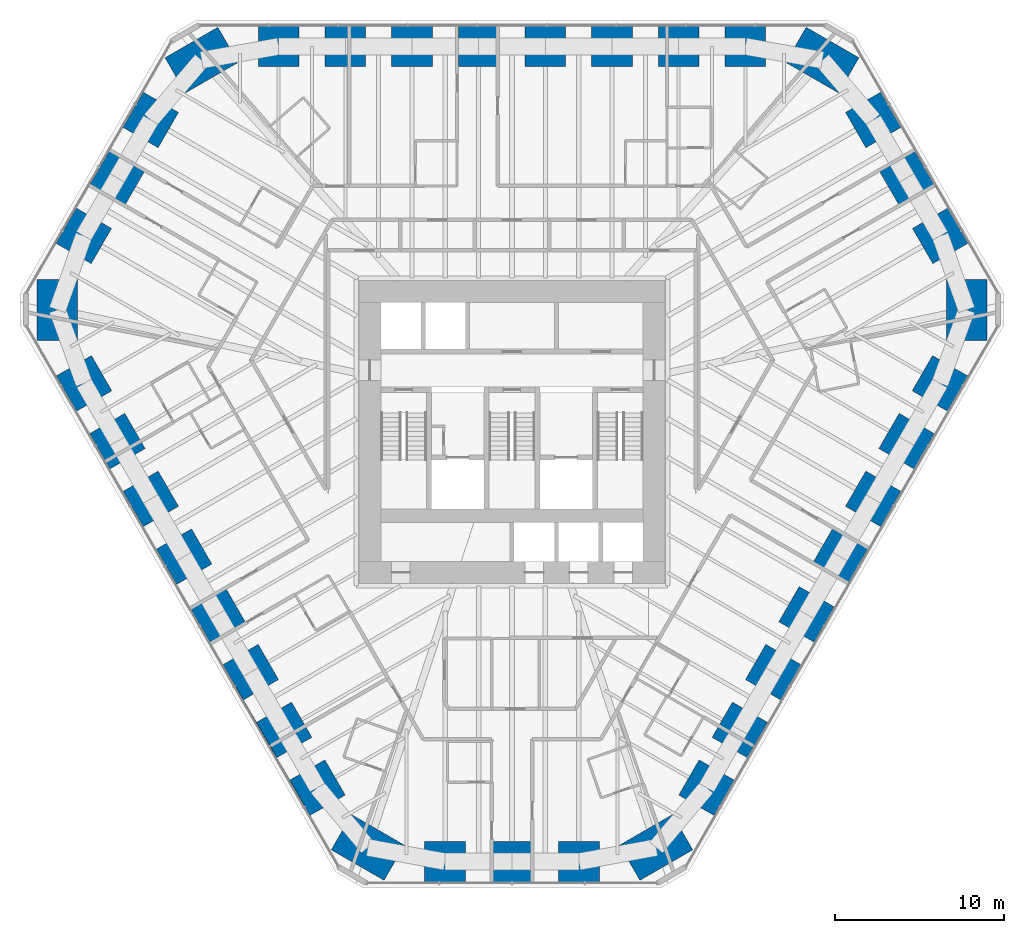
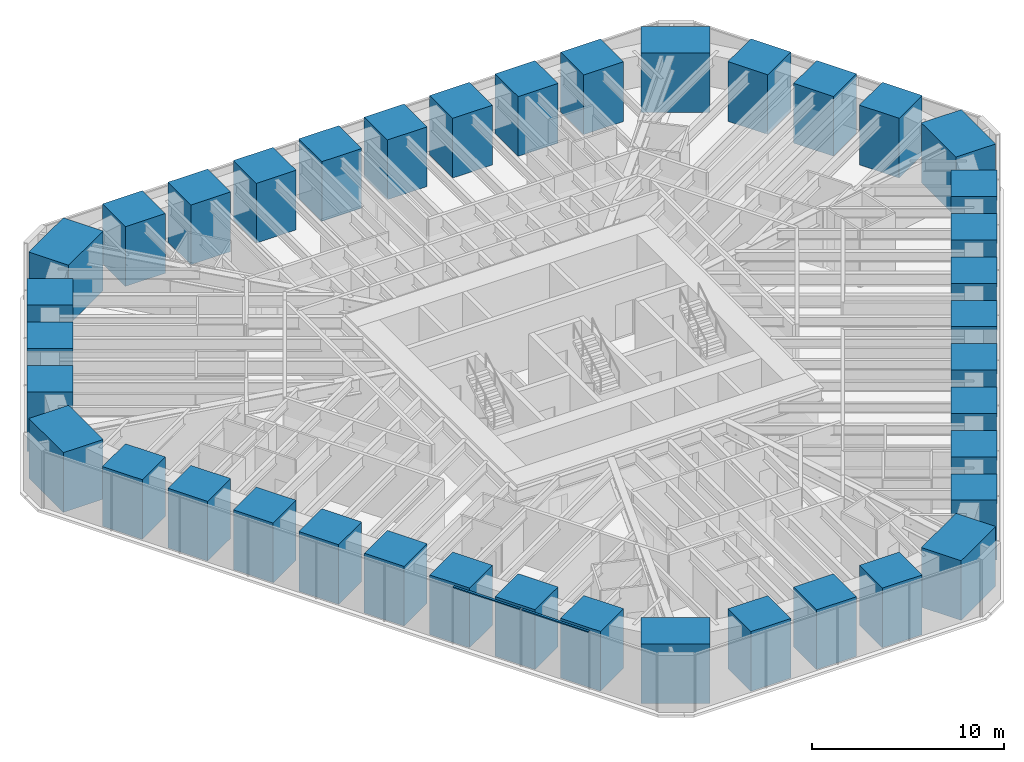
# One storey, part 1 of 17: 39 columns, 2 members, 1 element without a shape of its own.
"""IFC4 building model written with IfcOpenShell, lengths in metres."""

from ifc_helpers import new_model, si_unit, direction, frame, origin, origin_2d, place, context, subcontext, project, spatial, rectangle, extrude, material, material_profile, profile_set, type_object, element, aggregate, save


model = new_model("IFC4")

# Units and contexts
model_context = context("Model", 3, precision=1e-05, world=origin(), true_north=direction((0.0, 1.0)))
body_context = subcontext(model_context, "Body", "Model", "MODEL_VIEW")
ifc_project = project(units=[si_unit("LENGTHUNIT", "METRE"), si_unit("AREAUNIT", "SQUARE_METRE"), si_unit("VOLUMEUNIT", "CUBIC_METRE"), si_unit("PLANEANGLEUNIT", "RADIAN"), si_unit("MASSUNIT", "GRAM", prefix="KILO")], contexts=[model_context])

# Site, building, storey
site_placement = place(None, origin())
site = spatial("IfcSite", under=ifc_project, at=site_placement, CompositionType="ELEMENT")
building_placement = place(site_placement, origin())
building = spatial("IfcBuilding", under=site, at=building_placement, Name="Sandreach Pilgrim Tower", CompositionType="ELEMENT")
storey_placement = place(building_placement, frame((0.0, 0.0, 100.60009765625)))
storey = spatial("IfcBuildingStorey", under=building, at=storey_placement, Name="L24", CompositionType="ELEMENT", Elevation=100.60009765625)

# Columns
ifc_material_1 = material(Name="Concrete 10000 psi", Category="concrete")
ifc_material_profile_1 = material_profile(ifc_material_1, rectangle(XDim=2.39990234375, YDim=2.39990234375, at=origin_2d()), Name="RC2400X2400")
ifc_profile_set_1 = profile_set([ifc_material_profile_1], Name="Concrete 10000 psi")
column_type_1 = type_object("IfcColumnType", Name="Tube column RC2400X2400", PredefinedType="COLUMN", material=ifc_profile_set_1)
for number, where, z_axis, x_axis, name in (
    (1, (-13.789794921875, 21.23388671875, 0.0), (0.0, 0.0, 1.0), (0.0, 1.0, 0.0), "COL L24 T01"),
    (2, (-9.849853515625, 21.23388671875, 0.0), (0.0, 0.0, 1.0), (0.0, 1.0, 0.0), "COL L24 T02"),
    (3, (-5.909912109375, 21.23388671875, 0.0), (0.0, 0.0, 1.0), (0.0, 1.0, 0.0), "COL L24 T03"),
    (4, (-1.969970703125, 21.23388671875, 0.0), (0.0, 0.0, 1.0), (0.0, 1.0, 0.0), "COL L24 T04"),
    (5, (1.969970703125, 21.23388671875, 0.0), (0.0, 0.0, 1.0), (0.0, 1.0, 0.0), "COL L24 T05"),
    (6, (5.909912109375, 21.23388671875, 0.0), (0.0, 0.0, 1.0), (0.0, 1.0, 0.0), "COL L24 T06"),
    (7, (9.849853515625, 21.23388671875, 0.0), (0.0, 0.0, 1.0), (0.0, 1.0, 0.0), "COL L24 T07"),
    (8, (13.789794921875, 21.23388671875, 0.0), (0.0, 0.0, 1.0), (0.0, 1.0, 0.0), "COL L24 T08"),
    (9, (21.346435546875, 16.891357421875, 0.0), (0.0, 0.0, 1.0), (0.866025403784, 0.5, 0.0), "COL L24 T10"),
    (10, (23.323974609375, 13.466064453125, 0.0), (0.0, 0.0, 1.0), (0.866025403784, 0.5, 0.0), "COL L24 T11"),
    (11, (25.301513671875, 10.040771484375, 0.0), (0.0, 0.0, 1.0), (0.866025403784, 0.5, 0.0), "COL L24 T12"),
    (12, (25.283935546875, 1.325439453125, 0.0), (0.0, 0.0, 1.0), (0.866025403784, -0.5, 0.0), "COL L24 T14"),
    (13, (23.31396484375, -2.086669921875, 0.0), (0.0, 0.0, 1.0), (0.866025403784, -0.5, 0.0), "COL L24 T15"),
    (14, (21.343994140625, -5.498779296875, 0.0), (0.0, 0.0, 1.0), (0.866025403784, -0.5, 0.0), "COL L24 T16"),
    (15, (19.3740234375, -8.910888671875, 0.0), (0.0, 0.0, 1.0), (0.866025403784, -0.5, 0.0), "COL L24 T17"),
    (16, (17.404052734375, -12.322998046875, 0.0), (0.0, 0.0, 1.0), (0.866025403784, -0.5, 0.0), "COL L24 T18"),
    (17, (15.43408203125, -15.735107421875, 0.0), (0.0, 0.0, 1.0), (0.866025403784, -0.5, 0.0), "COL L24 T19"),
    (18, (13.464111328125, -19.147216796875, 0.0), (0.0, 0.0, 1.0), (0.866025403784, -0.5, 0.0), "COL L24 T20"),
    (19, (11.494140625, -22.559326171875, 0.0), (0.0, 0.0, 1.0), (0.866025403784, -0.5, 0.0), "COL L24 T21"),
    (20, (3.955322265625, -26.93212890625, 0.0), (0.0, 0.0, 1.0), (0.0, -1.0, 0.0), "COL L24 T23"),
    (21, (0.0, -26.93212890625, 0.0), (0.0, 0.0, 1.0), (0.0, -1.0, 0.0), "COL L24 T24"),
    (22, (-3.955322265625, -26.93212890625, 0.0), (0.0, 0.0, 1.0), (0.0, -1.0, 0.0), "COL L24 T25"),
    (23, (-11.494140625, -22.559326171875, 0.0), (0.0, 0.0, 1.0), (-0.866025403784, -0.5, 0.0), "COL L24 T27"),
    (24, (-13.464111328125, -19.147216796875, 0.0), (0.0, 0.0, 1.0), (-0.866025403784, -0.5, 0.0), "COL L24 T28"),
    (25, (-15.43408203125, -15.735107421875, 0.0), (0.0, 0.0, 1.0), (-0.866025403784, -0.5, 0.0), "COL L24 T29"),
    (26, (-17.404052734375, -12.322998046875, 0.0), (0.0, 0.0, 1.0), (-0.866025403784, -0.5, 0.0), "COL L24 T30"),
    (27, (-19.3740234375, -8.910888671875, 0.0), (0.0, 0.0, 1.0), (-0.866025403784, -0.5, 0.0), "COL L24 T31"),
    (28, (-21.343994140625, -5.498779296875, 0.0), (0.0, 0.0, 1.0), (-0.866025403784, -0.5, 0.0), "COL L24 T32"),
    (29, (-23.31396484375, -2.086669921875, 0.0), (0.0, 0.0, 1.0), (-0.866025403784, -0.5, 0.0), "COL L24 T33"),
    (30, (-25.283935546875, 1.325439453125, 0.0), (0.0, 0.0, 1.0), (-0.866025403784, -0.5, 0.0), "COL L24 T34"),
    (31, (-25.301513671875, 10.040771484375, 0.0), (0.0, 0.0, 1.0), (-0.866025403784, 0.5, 0.0), "COL L24 T36"),
    (32, (-23.323974609375, 13.466064453125, 0.0), (0.0, 0.0, 1.0), (-0.866025403784, 0.5, 0.0), "COL L24 T37"),
    (33, (-21.346435546875, 16.891357421875, 0.0), (0.0, 0.0, 1.0), (-0.866025403784, 0.5, 0.0), "COL L24 T38"),
):
    element("IfcColumn", number, at=place(storey_placement, frame(where, z_axis=z_axis, x_axis=x_axis)), inside=storey, type_object=column_type_1, Name=name, PredefinedType="COLUMN", context=body_context, shape_type="SweptSolid", body=[
        extrude(rectangle(XDim=2.39990234375, YDim=2.39990234375, at=origin_2d()), origin(), (0.0, 0.0, 1.0), 3.7998046875),
    ])
ifc_material_2 = material(Name="Concrete 10000 psi", Category="concrete")
ifc_material_profile_2 = material_profile(ifc_material_2, rectangle(XDim=2.39990234375, YDim=3.60009765625, at=origin_2d()), Name="RC2400X3600")
ifc_profile_set_2 = profile_set([ifc_material_profile_2], Name="Concrete 10000 psi")
column_type_2 = type_object("IfcColumnType", Name="Tube corner pier RC2400X3600", PredefinedType="COLUMN", material=ifc_profile_set_2)
for number, where, z_axis, x_axis, name in (
    (34, (18.33935546875, 20.423828125, 0.0), (0.0, 0.0, 1.0), (0.5, 0.866025403784, 0.0), "COL L24 T09"),
    (35, (26.857177734375, 5.67041015625, 0.0), (0.0, 0.0, 1.0), (1.0, 0.0, 0.0), "COL L24 T13"),
    (36, (8.517822265625, -26.09423828125, 0.0), (0.0, 0.0, 1.0), (0.5, -0.866025403784, 0.0), "COL L24 T22"),
    (37, (-8.517822265625, -26.09423828125, 0.0), (0.0, 0.0, 1.0), (-0.5, -0.866025403784, 0.0), "COL L24 T26"),
    (38, (-26.857177734375, 5.67041015625, 0.0), (0.0, 0.0, 1.0), (-1.0, 0.0, 0.0), "COL L24 T35"),
    (39, (-18.33935546875, 20.423828125, 0.0), (0.0, 0.0, 1.0), (-0.5, 0.866025403784, 0.0), "COL L24 T39"),
):
    element("IfcColumn", number, at=place(storey_placement, frame(where, z_axis=z_axis, x_axis=x_axis)), inside=storey, type_object=column_type_2, Name=name, PredefinedType="COLUMN", context=body_context, shape_type="SweptSolid", body=[
        extrude(rectangle(XDim=2.39990234375, YDim=3.60009765625, at=origin_2d()), origin(), (0.0, 0.0, 1.0), 3.7998046875),
    ])

# Curtain wall, members
ifc_material_3 = material(Name="Aluminium framed curtain wall", Category="aluminium")
curtain_wall_type = type_object("IfcCurtainWallType", Name="Hotel tower curtain wall", PredefinedType="NOTDEFINED", material=ifc_material_3)
curtain_wall_placement = place(storey_placement, origin())
curtain_wall = element("IfcCurtainWall", 40, at=curtain_wall_placement, inside=storey, type_object=curtain_wall_type, Name="CW-2 L24 SW", PredefinedType="NOTDEFINED")
ifc_material_4 = material(Name="Aluminium extrusion", Category="aluminium")
ifc_material_profile_3 = material_profile(ifc_material_4, rectangle(XDim=0.139892578125, YDim=0.070068359375, at=origin_2d()), Name="CW-2T 140X70")
ifc_profile_set_3 = profile_set([ifc_material_profile_3], Name="Aluminium extrusion")
member_type = type_object("IfcMemberType", Name="CW-2 transom", PredefinedType="USERDEFINED", material=ifc_profile_set_3)
member_1_placement = place(storey_placement, frame((-12.309326171875, -23.667236328125, 3.60498046875), z_axis=(-0.500023973715, 0.866011562111, 0.0), x_axis=(-0.866011562111, -0.500023973715, 0.0)))
member_1 = element("IfcMember", 41, at=member_1_placement, type_object=member_type, Name="CW-2 head transom 2", ObjectType="TRANSOM", PredefinedType="USERDEFINED", context=body_context, shape_type="SweptSolid", body=[
    extrude(rectangle(XDim=0.139892578125, YDim=0.070068359375, at=origin_2d()), origin(), (0.0, 0.0, 1.0), 4.041748046875),
])
member_2_placement = place(storey_placement, frame((-14.36279296875, -20.110595703125, 3.60498046875), z_axis=(-0.499997818338, 0.866026663364, 0.0), x_axis=(-0.866026663364, -0.499997818338, 0.0)))
member_2 = element("IfcMember", 42, at=member_2_placement, type_object=member_type, Name="CW-2 head transom 3", ObjectType="TRANSOM", PredefinedType="USERDEFINED", context=body_context, shape_type="SweptSolid", body=[
    extrude(rectangle(XDim=0.139892578125, YDim=0.070068359375, at=origin_2d()), origin(), (0.0, 0.0, 1.0), 4.0419921875),
])
aggregate(curtain_wall, [member_1, member_2])

save(model, "model.ifc")
